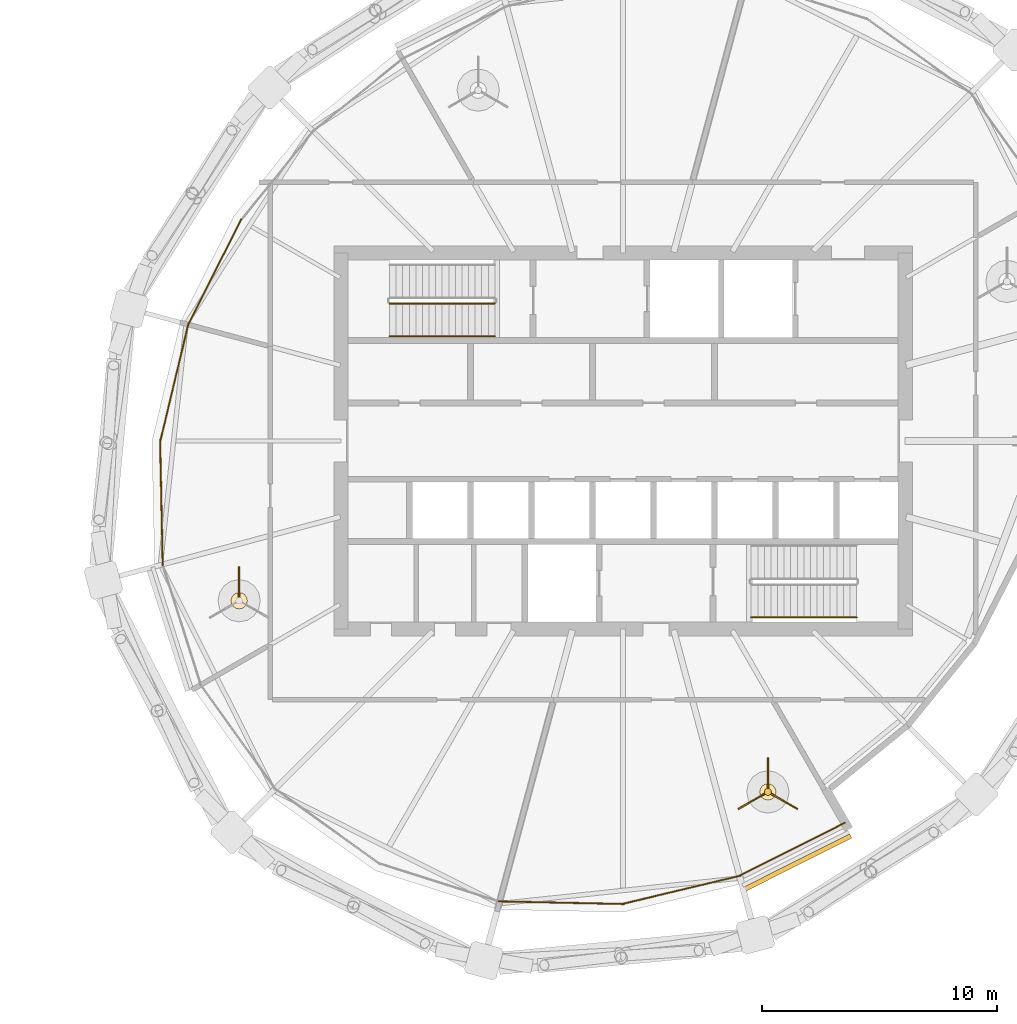
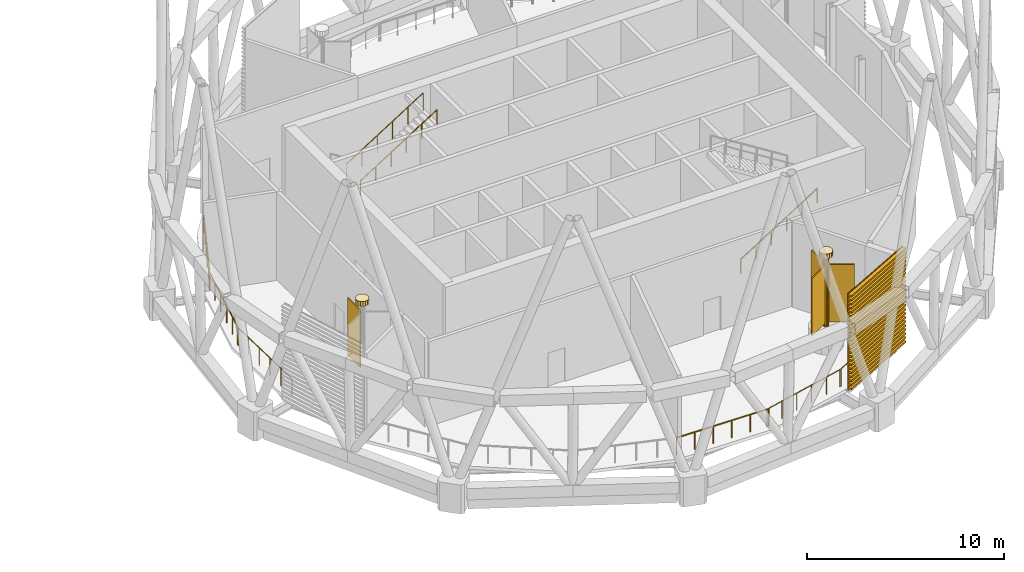
# One storey, part 19 of 22: 9 railings, 7 coverings, 1 shading device.
"""IFC4 building model written with IfcOpenShell, lengths in metres."""

from ifc_helpers import new_model, si_unit, direction, frame, origin, origin_2d, place, context, subcontext, project, spatial, polyline, circle, outline, extrude, material, material_profile, profile_set, type_object, element, save


model = new_model("IFC4")

# Units and contexts
model_context = context("Model", 3, precision=1e-05, world=origin(), true_north=direction((0.0, 1.0)))
body_context = subcontext(model_context, "Body", "Model", "MODEL_VIEW")
ifc_project = project(units=[si_unit("LENGTHUNIT", "METRE"), si_unit("AREAUNIT", "SQUARE_METRE"), si_unit("VOLUMEUNIT", "CUBIC_METRE"), si_unit("PLANEANGLEUNIT", "RADIAN"), si_unit("MASSUNIT", "GRAM", prefix="KILO")], contexts=[model_context])

# Site, building, storey
site_placement = place(None, origin())
site = spatial("IfcSite", under=ifc_project, at=site_placement, CompositionType="ELEMENT")
building_placement = place(site_placement, origin())
building = spatial("IfcBuilding", under=site, at=building_placement, Name="Rimbun Link Towers", CompositionType="ELEMENT")
storey_placement = place(building_placement, frame((0.0, 0.0, 204.5)))
storey = spatial("IfcBuildingStorey", under=building, at=storey_placement, Name="L50", CompositionType="ELEMENT", Elevation=204.5)

# Railings
ifc_material_1 = material(Name="Stainless steel grade 316", Category="steel")
railing_type_1 = type_object("IfcRailingType", Name="GUARD stainless rail and posts", PredefinedType="GUARDRAIL", material=ifc_material_1)
railing_1_placement = place(storey_placement, frame((13.244384765625, 4.91162109375, 0.0)))
element("IfcRailing", 1, at=railing_1_placement, inside=storey, type_object=railing_type_1, Name="GUARD open storey edge", PredefinedType="GUARDRAIL", context=body_context, shape_type="SweptSolid", body=[
    extrude(circle(Radius=0.02392578125, at=origin_2d()), frame((0.0, 0.0, 1.076171875), z_axis=(0.448778078669, 0.893643237599, 0.0), x_axis=(-0.893643237599, 0.448778078669, 0.0)), (0.0, 0.0, 1.0), 5.053955078125),
    extrude(circle(Radius=0.02099609375, at=origin_2d()), origin(), (0.0, 0.0, 1.0), 1.052001953125),
    extrude(circle(Radius=0.02099609375, at=origin_2d()), frame((0.45361328125, 0.9033203125, 0.0)), (0.0, 0.0, 1.0), 1.052001953125),
    extrude(circle(Radius=0.02099609375, at=origin_2d()), frame((0.9072265625, 1.806640625, 0.0)), (0.0, 0.0, 1.0), 1.052001953125),
    extrude(circle(Radius=0.02099609375, at=origin_2d()), frame((1.36083984375, 2.709716796875, 0.0)), (0.0, 0.0, 1.0), 1.052001953125),
    extrude(circle(Radius=0.02099609375, at=origin_2d()), frame((1.814453125, 3.613037109375, 0.0)), (0.0, 0.0, 1.0), 1.052001953125),
    extrude(circle(Radius=0.02099609375, at=origin_2d()), frame((2.26806640625, 4.516357421875, 0.0)), (0.0, 0.0, 1.0), 1.052001953125),
])
railing_2_placement = place(storey_placement, frame((12.061279296875, -0.045166015625, 0.0)))
element("IfcRailing", 2, at=railing_2_placement, inside=storey, type_object=railing_type_1, Name="GUARD open storey edge", PredefinedType="GUARDRAIL", context=body_context, shape_type="SweptSolid", body=[
    extrude(circle(Radius=0.02392578125, at=origin_2d()), frame((0.0, 0.0, 1.076171875), z_axis=(0.23262353495, 0.972566856821, 0.0), x_axis=(-0.972566856821, 0.23262353495, 0.0)), (0.0, 0.0, 1.0), 5.187744140625),
    extrude(circle(Radius=0.02099609375, at=origin_2d()), origin(), (0.0, 0.0, 1.0), 1.052001953125),
    extrude(circle(Radius=0.02099609375, at=origin_2d()), frame((0.241455078125, 1.009033203125, 0.0)), (0.0, 0.0, 1.0), 1.052001953125),
    extrude(circle(Radius=0.02099609375, at=origin_2d()), frame((0.482666015625, 2.01806640625, 0.0)), (0.0, 0.0, 1.0), 1.052001953125),
    extrude(circle(Radius=0.02099609375, at=origin_2d()), frame((0.72412109375, 3.02734375, 0.0)), (0.0, 0.0, 1.0), 1.052001953125),
    extrude(circle(Radius=0.02099609375, at=origin_2d()), frame((0.96533203125, 4.036376953125, 0.0)), (0.0, 0.0, 1.0), 1.052001953125),
    extrude(circle(Radius=0.02099609375, at=origin_2d()), frame((1.206787109375, 5.04541015625, 0.0)), (0.0, 0.0, 1.0), 1.052001953125),
])
railing_3_placement = place(storey_placement, frame((12.173828125, -5.2919921875, 0.0)))
element("IfcRailing", 3, at=railing_3_placement, inside=storey, type_object=railing_type_1, Name="GUARD open storey edge", PredefinedType="GUARDRAIL", context=body_context, shape_type="SweptSolid", body=[
    extrude(circle(Radius=0.02392578125, at=origin_2d()), frame((0.0, 0.0, 1.076171875), z_axis=(-0.021078275813, 0.999777828464, 0.0), x_axis=(-0.999777828464, -0.021078275813, 0.0)), (0.0, 0.0, 1.0), 5.339599609375),
    extrude(circle(Radius=0.02099609375, at=origin_2d()), origin(), (0.0, 0.0, 1.0), 1.052001953125),
    extrude(circle(Radius=0.02099609375, at=origin_2d()), frame((-0.0224609375, 1.067626953125, 0.0)), (0.0, 0.0, 1.0), 1.052001953125),
    extrude(circle(Radius=0.02099609375, at=origin_2d()), frame((-0.044921875, 2.13525390625, 0.0)), (0.0, 0.0, 1.0), 1.052001953125),
    extrude(circle(Radius=0.02099609375, at=origin_2d()), frame((-0.067626953125, 3.203125, 0.0)), (0.0, 0.0, 1.0), 1.052001953125),
    extrude(circle(Radius=0.02099609375, at=origin_2d()), frame((-0.090087890625, 4.270751953125, 0.0)), (0.0, 0.0, 1.0), 1.052001953125),
    extrude(circle(Radius=0.02099609375, at=origin_2d()), frame((-0.112548828125, 5.33837890625, 0.0)), (0.0, 0.0, 1.0), 1.052001953125),
])
railing_4_placement = place(storey_placement, frame((31.79638671875, -19.688720703125, 0.0)))
element("IfcRailing", 4, at=railing_4_placement, inside=storey, type_object=railing_type_1, Name="GUARD open storey edge", PredefinedType="GUARDRAIL", context=body_context, shape_type="SweptSolid", body=[
    extrude(circle(Radius=0.02392578125, at=origin_2d()), frame((0.0, 0.0, 1.076171875), z_axis=(-0.999777828464, 0.021078275813, 0.0), x_axis=(-0.021078275813, -0.999777828464, 0.0)), (0.0, 0.0, 1.0), 5.339599609375),
    extrude(circle(Radius=0.02099609375, at=origin_2d()), origin(), (0.0, 0.0, 1.0), 1.052001953125),
    extrude(circle(Radius=0.02099609375, at=origin_2d()), frame((-1.067626953125, 0.0224609375, 0.0)), (0.0, 0.0, 1.0), 1.052001953125),
    extrude(circle(Radius=0.02099609375, at=origin_2d()), frame((-2.13525390625, 0.044921875, 0.0)), (0.0, 0.0, 1.0), 1.052001953125),
    extrude(circle(Radius=0.02099609375, at=origin_2d()), frame((-3.203125, 0.067626953125, 0.0)), (0.0, 0.0, 1.0), 1.052001953125),
    extrude(circle(Radius=0.02099609375, at=origin_2d()), frame((-4.270751953125, 0.090087890625, 0.0)), (0.0, 0.0, 1.0), 1.052001953125),
    extrude(circle(Radius=0.02099609375, at=origin_2d()), frame((-5.33837890625, 0.112548828125, 0.0)), (0.0, 0.0, 1.0), 1.052001953125),
])
railing_5_placement = place(storey_placement, frame((36.750244140625, -18.48193359375, 0.0)))
element("IfcRailing", 5, at=railing_5_placement, inside=storey, type_object=railing_type_1, Name="GUARD open storey edge", PredefinedType="GUARDRAIL", context=body_context, shape_type="SweptSolid", body=[
    extrude(circle(Radius=0.02392578125, at=origin_2d()), frame((0.0, 0.0, 1.076171875), z_axis=(-0.972566856821, -0.23262353495, 0.0), x_axis=(0.23262353495, -0.972566856821, 0.0)), (0.0, 0.0, 1.0), 5.187744140625),
    extrude(circle(Radius=0.02099609375, at=origin_2d()), origin(), (0.0, 0.0, 1.0), 1.052001953125),
    extrude(circle(Radius=0.02099609375, at=origin_2d()), frame((-1.009033203125, -0.241455078125, 0.0)), (0.0, 0.0, 1.0), 1.052001953125),
    extrude(circle(Radius=0.02099609375, at=origin_2d()), frame((-2.01806640625, -0.482666015625, 0.0)), (0.0, 0.0, 1.0), 1.052001953125),
    extrude(circle(Radius=0.02099609375, at=origin_2d()), frame((-3.02734375, -0.72412109375, 0.0)), (0.0, 0.0, 1.0), 1.052001953125),
    extrude(circle(Radius=0.02099609375, at=origin_2d()), frame((-4.036376953125, -0.96533203125, 0.0)), (0.0, 0.0, 1.0), 1.052001953125),
    extrude(circle(Radius=0.02099609375, at=origin_2d()), frame((-5.04541015625, -1.206787109375, 0.0)), (0.0, 0.0, 1.0), 1.052001953125),
])
railing_6_placement = place(storey_placement, frame((41.177978515625, -16.237548828125, 0.0)))
element("IfcRailing", 6, at=railing_6_placement, inside=storey, type_object=railing_type_1, Name="GUARD slot edge", PredefinedType="GUARDRAIL", context=body_context, shape_type="SweptSolid", body=[
    extrude(circle(Radius=0.02392578125, at=origin_2d()), frame((0.0, 0.0, 1.076171875), z_axis=(-0.893643237599, -0.448778078669, 0.0), x_axis=(0.448778078669, -0.893643237599, 0.0)), (0.0, 0.0, 1.0), 5.053955078125),
    extrude(circle(Radius=0.02099609375, at=origin_2d()), origin(), (0.0, 0.0, 1.0), 1.052001953125),
    extrude(circle(Radius=0.02099609375, at=origin_2d()), frame((-0.9033203125, -0.45361328125, 0.0)), (0.0, 0.0, 1.0), 1.052001953125),
    extrude(circle(Radius=0.02099609375, at=origin_2d()), frame((-1.806640625, -0.9072265625, 0.0)), (0.0, 0.0, 1.0), 1.052001953125),
    extrude(circle(Radius=0.02099609375, at=origin_2d()), frame((-2.709716796875, -1.36083984375, 0.0)), (0.0, 0.0, 1.0), 1.052001953125),
    extrude(circle(Radius=0.02099609375, at=origin_2d()), frame((-3.613037109375, -1.814453125, 0.0)), (0.0, 0.0, 1.0), 1.052001953125),
    extrude(circle(Radius=0.02099609375, at=origin_2d()), frame((-4.516357421875, -2.26806640625, 0.0)), (0.0, 0.0, 1.0), 1.052001953125),
])

# Shading device
ifc_material_2 = material(Name="Aluminium 6063-T6", Category="aluminium")
ifc_material_profile = material_profile(ifc_material_2, outline(polyline([(0.123046875, 0.0), (0.1630859375, 0.0), (0.1630859375, 0.10009765625), (0.363037109375, 0.10009765625), (0.363037109375, 0.199951171875), (0.1630859375, 0.199951171875), (0.1630859375, 0.35009765625), (0.363037109375, 0.35009765625), (0.363037109375, 0.449951171875), (0.1630859375, 0.449951171875), (0.1630859375, 0.60009765625), (0.363037109375, 0.60009765625), (0.363037109375, 0.699951171875), (0.1630859375, 0.699951171875), (0.1630859375, 0.85009765625), (0.363037109375, 0.85009765625), (0.363037109375, 0.949951171875), (0.1630859375, 0.949951171875), (0.1630859375, 1.10009765625), (0.363037109375, 1.10009765625), (0.363037109375, 1.199951171875), (0.1630859375, 1.199951171875), (0.1630859375, 1.35009765625), (0.363037109375, 1.35009765625), (0.363037109375, 1.449951171875), (0.1630859375, 1.449951171875), (0.1630859375, 1.60009765625), (0.363037109375, 1.60009765625), (0.363037109375, 1.699951171875), (0.1630859375, 1.699951171875), (0.1630859375, 1.85009765625), (0.363037109375, 1.85009765625), (0.363037109375, 1.949951171875), (0.1630859375, 1.949951171875), (0.1630859375, 2.10009765625), (0.363037109375, 2.10009765625), (0.363037109375, 2.199951171875), (0.1630859375, 2.199951171875), (0.1630859375, 2.35009765625), (0.363037109375, 2.35009765625), (0.363037109375, 2.449951171875), (0.1630859375, 2.449951171875), (0.1630859375, 2.60009765625), (0.363037109375, 2.60009765625), (0.363037109375, 2.699951171875), (0.1630859375, 2.699951171875), (0.1630859375, 2.85009765625), (0.363037109375, 2.85009765625), (0.363037109375, 2.949951171875), (0.1630859375, 2.949951171875), (0.1630859375, 3.10009765625), (0.363037109375, 3.10009765625), (0.363037109375, 3.199951171875), (0.1630859375, 3.199951171875), (0.1630859375, 3.35009765625), (0.363037109375, 3.35009765625), (0.363037109375, 3.449951171875), (0.1630859375, 3.449951171875), (0.1630859375, 3.60009765625), (0.363037109375, 3.60009765625), (0.363037109375, 3.699951171875), (0.1630859375, 3.699951171875), (0.1630859375, 3.85009765625), (0.363037109375, 3.85009765625), (0.363037109375, 3.949951171875), (0.1630859375, 3.949951171875), (0.1630859375, 4.10009765625), (0.363037109375, 4.10009765625), (0.363037109375, 4.199951171875), (0.1630859375, 4.199951171875), (0.1630859375, 4.35009765625), (0.363037109375, 4.35009765625), (0.363037109375, 4.449951171875), (0.1630859375, 4.449951171875), (0.1630859375, 4.60009765625), (0.363037109375, 4.60009765625), (0.363037109375, 4.699951171875), (0.1630859375, 4.699951171875), (0.1630859375, 4.85009765625), (0.363037109375, 4.85009765625), (0.363037109375, 4.949951171875), (0.1630859375, 4.949951171875), (0.1630859375, 5.10009765625), (0.363037109375, 5.10009765625), (0.363037109375, 5.199951171875), (0.1630859375, 5.199951171875), (0.1630859375, 5.35009765625), (0.363037109375, 5.35009765625), (0.363037109375, 5.449951171875), (0.1630859375, 5.449951171875), (0.1630859375, 5.60009765625), (0.363037109375, 5.60009765625), (0.363037109375, 5.699951171875), (0.1630859375, 5.699951171875), (0.1630859375, 5.85009765625), (0.363037109375, 5.85009765625), (0.363037109375, 5.949951171875), (0.1630859375, 5.949951171875), (0.1630859375, 6.0), (0.123046875, 6.0), (0.123046875, 0.0)])), Name="LOUVRE BLADES 100X240")
ifc_profile_set = profile_set([ifc_material_profile], Name="Aluminium 6063-T6")
shading_device_type = type_object("IfcShadingDeviceType", Name="LOUVRE SLOT BLADES 100X240 H6000", PredefinedType="JALOUSIE", material=ifc_profile_set)
shading_device_placement = place(storey_placement, frame((41.3115234375, -16.56103515625, 0.0), z_axis=(-0.893643237599, -0.448778078669, 0.0), x_axis=(0.448778078669, -0.893643237599, 0.0)))
element("IfcShadingDevice", 7, at=shading_device_placement, inside=storey, type_object=shading_device_type, Name="LOUVRE slot blades", PredefinedType="JALOUSIE", context=body_context, shape_type="SweptSolid", body=[
    extrude(outline(polyline([(0.123046875, 0.0), (0.1630859375, 0.0), (0.1630859375, 0.10009765625), (0.363037109375, 0.10009765625), (0.363037109375, 0.199951171875), (0.1630859375, 0.199951171875), (0.1630859375, 0.35009765625), (0.363037109375, 0.35009765625), (0.363037109375, 0.449951171875), (0.1630859375, 0.449951171875), (0.1630859375, 0.60009765625), (0.363037109375, 0.60009765625), (0.363037109375, 0.699951171875), (0.1630859375, 0.699951171875), (0.1630859375, 0.85009765625), (0.363037109375, 0.85009765625), (0.363037109375, 0.949951171875), (0.1630859375, 0.949951171875), (0.1630859375, 1.10009765625), (0.363037109375, 1.10009765625), (0.363037109375, 1.199951171875), (0.1630859375, 1.199951171875), (0.1630859375, 1.35009765625), (0.363037109375, 1.35009765625), (0.363037109375, 1.449951171875), (0.1630859375, 1.449951171875), (0.1630859375, 1.60009765625), (0.363037109375, 1.60009765625), (0.363037109375, 1.699951171875), (0.1630859375, 1.699951171875), (0.1630859375, 1.85009765625), (0.363037109375, 1.85009765625), (0.363037109375, 1.949951171875), (0.1630859375, 1.949951171875), (0.1630859375, 2.10009765625), (0.363037109375, 2.10009765625), (0.363037109375, 2.199951171875), (0.1630859375, 2.199951171875), (0.1630859375, 2.35009765625), (0.363037109375, 2.35009765625), (0.363037109375, 2.449951171875), (0.1630859375, 2.449951171875), (0.1630859375, 2.60009765625), (0.363037109375, 2.60009765625), (0.363037109375, 2.699951171875), (0.1630859375, 2.699951171875), (0.1630859375, 2.85009765625), (0.363037109375, 2.85009765625), (0.363037109375, 2.949951171875), (0.1630859375, 2.949951171875), (0.1630859375, 3.10009765625), (0.363037109375, 3.10009765625), (0.363037109375, 3.199951171875), (0.1630859375, 3.199951171875), (0.1630859375, 3.35009765625), (0.363037109375, 3.35009765625), (0.363037109375, 3.449951171875), (0.1630859375, 3.449951171875), (0.1630859375, 3.60009765625), (0.363037109375, 3.60009765625), (0.363037109375, 3.699951171875), (0.1630859375, 3.699951171875), (0.1630859375, 3.85009765625), (0.363037109375, 3.85009765625), (0.363037109375, 3.949951171875), (0.1630859375, 3.949951171875), (0.1630859375, 4.10009765625), (0.363037109375, 4.10009765625), (0.363037109375, 4.199951171875), (0.1630859375, 4.199951171875), (0.1630859375, 4.35009765625), (0.363037109375, 4.35009765625), (0.363037109375, 4.449951171875), (0.1630859375, 4.449951171875), (0.1630859375, 4.60009765625), (0.363037109375, 4.60009765625), (0.363037109375, 4.699951171875), (0.1630859375, 4.699951171875), (0.1630859375, 4.85009765625), (0.363037109375, 4.85009765625), (0.363037109375, 4.949951171875), (0.1630859375, 4.949951171875), (0.1630859375, 5.10009765625), (0.363037109375, 5.10009765625), (0.363037109375, 5.199951171875), (0.1630859375, 5.199951171875), (0.1630859375, 5.35009765625), (0.363037109375, 5.35009765625), (0.363037109375, 5.449951171875), (0.1630859375, 5.449951171875), (0.1630859375, 5.60009765625), (0.363037109375, 5.60009765625), (0.363037109375, 5.699951171875), (0.1630859375, 5.699951171875), (0.1630859375, 5.85009765625), (0.363037109375, 5.85009765625), (0.363037109375, 5.949951171875), (0.1630859375, 5.949951171875), (0.1630859375, 6.0), (0.123046875, 6.0), (0.123046875, 0.0)])), origin(), (0.0, 0.0, 1.0), 5.053955078125),
])

# Railings
ifc_material_3 = material(Name="Stainless steel grade 316", Category="steel")
railing_type_2 = type_object("IfcRailingType", Name="Stair guard", PredefinedType="GUARDRAIL", material=ifc_material_3)
railing_7_placement = place(storey_placement, frame((21.820068359375, 5.85009765625, 3.176513671875)))
element("IfcRailing", 8, at=railing_7_placement, inside=storey, type_object=railing_type_2, Name="L50 ST3 stair guard 3", PredefinedType="GUARDRAIL", context=body_context, shape_type="SweptSolid", body=[
    extrude(circle(Radius=0.02392578125, at=origin_2d()), frame((0.0, 0.0, 1.076171875), z_axis=(0.845997938375, 0.0, 0.533186166611), x_axis=(0.0, 1.0, 0.0)), (0.0, 0.0, 1.0), 5.29541015625),
    extrude(circle(Radius=0.02099609375, at=origin_2d()), origin(), (0.0, 0.0, 1.0), 1.052001953125),
    extrude(circle(Radius=0.02099609375, at=origin_2d()), frame((0.89599609375, 0.0, 0.564697265625)), (0.0, 0.0, 1.0), 1.052001953125),
    extrude(circle(Radius=0.02099609375, at=origin_2d()), frame((1.7919921875, 0.0, 1.12939453125)), (0.0, 0.0, 1.0), 1.052001953125),
    extrude(circle(Radius=0.02099609375, at=origin_2d()), frame((2.68798828125, 0.0, 1.694091796875)), (0.0, 0.0, 1.0), 1.052001953125),
    extrude(circle(Radius=0.02099609375, at=origin_2d()), frame((3.583984375, 0.0, 2.2587890625)), (0.0, 0.0, 1.0), 1.052001953125),
    extrude(circle(Radius=0.02099609375, at=origin_2d()), frame((4.47998046875, 0.0, 2.823486328125)), (0.0, 0.0, 1.0), 1.052001953125),
])
ifc_material_4 = material(Name="Stainless steel grade 316", Category="steel")
railing_type_3 = type_object("IfcRailingType", Name="Stair handrail", PredefinedType="HANDRAIL", material=ifc_material_4)
for number, where, name in (
    (9, (21.820068359375, 4.449951171875, 3.176513671875), "L50 ST3 stair handrail 2"),
    (10, (37.199951171875, -7.5, 0.176513671875), "L50 ST4 stair handrail 1"),
):
    element("IfcRailing", number, at=place(storey_placement, frame(where)), inside=storey, type_object=railing_type_3, Name=name, PredefinedType="HANDRAIL", context=body_context, shape_type="SweptSolid", body=[
        extrude(circle(Radius=0.02392578125, at=origin_2d()), frame((0.0, 0.0, 0.8759765625), z_axis=(0.845997938375, 0.0, 0.533186166611), x_axis=(0.0, 1.0, 0.0)), (0.0, 0.0, 1.0), 5.29541015625),
        extrude(circle(Radius=0.02099609375, at=origin_2d()), origin(), (0.0, 0.0, 1.0), 0.851806640625),
        extrude(circle(Radius=0.02099609375, at=origin_2d()), frame((0.89599609375, 0.0, 0.564697265625)), (0.0, 0.0, 1.0), 0.851806640625),
        extrude(circle(Radius=0.02099609375, at=origin_2d()), frame((1.7919921875, 0.0, 1.12939453125)), (0.0, 0.0, 1.0), 0.851806640625),
        extrude(circle(Radius=0.02099609375, at=origin_2d()), frame((2.68798828125, 0.0, 1.694091796875)), (0.0, 0.0, 1.0), 0.851806640625),
        extrude(circle(Radius=0.02099609375, at=origin_2d()), frame((3.583984375, 0.0, 2.2587890625)), (0.0, 0.0, 1.0), 0.851806640625),
        extrude(circle(Radius=0.02099609375, at=origin_2d()), frame((4.47998046875, 0.0, 2.823486328125)), (0.0, 0.0, 1.0), 0.851806640625),
    ])

# Coverings
ifc_material_5 = material(Name="Stainless steel grade 316", Category="steel")
covering_type_1 = type_object("IfcCoveringType", Name="WIND TURBINE bearing collar 700X300", PredefinedType="CLADDING", material=ifc_material_5)
covering_1_placement = place(storey_placement, frame((0.0, 0.0, 5.56005859375)))
element("IfcCovering", 11, at=covering_1_placement, inside=storey, type_object=covering_type_1, Name="WIND TURBINE bearing collar", PredefinedType="CLADDING", context=body_context, shape_type="SweptSolid", body=[
    extrude(outline(polyline([(15.77490234375, -6.790283203125), (15.748291015625, -6.65625), (15.67236328125, -6.542724609375), (15.558837890625, -6.466796875), (15.4248046875, -6.440185546875), (15.291015625, -6.466796875), (15.177490234375, -6.542724609375), (15.1015625, -6.65625), (15.07470703125, -6.790283203125), (15.1015625, -6.92431640625), (15.177490234375, -7.037841796875), (15.291015625, -7.113525390625), (15.4248046875, -7.140380859375), (15.558837890625, -7.113525390625), (15.67236328125, -7.037841796875), (15.748291015625, -6.92431640625), (15.77490234375, -6.790283203125)])), origin(), (0.0, 0.0, 1.0), 0.300048828125),
])
covering_2_placement = place(storey_placement, frame((0.0, 0.0, 5.56005859375)))
element("IfcCovering", 12, at=covering_2_placement, inside=storey, type_object=covering_type_1, Name="WIND TURBINE bearing collar", PredefinedType="CLADDING", context=body_context, shape_type="SweptSolid", body=[
    extrude(outline(polyline([(38.2587890625, -14.922119140625), (38.232177734375, -14.7880859375), (38.15625, -14.674560546875), (38.042724609375, -14.5986328125), (37.90869140625, -14.572021484375), (37.77490234375, -14.5986328125), (37.661376953125, -14.674560546875), (37.58544921875, -14.7880859375), (37.558837890625, -14.922119140625), (37.58544921875, -15.055908203125), (37.661376953125, -15.16943359375), (37.77490234375, -15.245361328125), (37.90869140625, -15.27197265625), (38.042724609375, -15.245361328125), (38.15625, -15.16943359375), (38.232177734375, -15.055908203125), (38.2587890625, -14.922119140625)])), origin(), (0.0, 0.0, 1.0), 0.300048828125),
])
ifc_material_6 = material(Name="Aluminium 6063-T6", Category="aluminium")
covering_type_2 = type_object("IfcCoveringType", Name="WIND TURBINE blade 1302X60X3560", PredefinedType="CLADDING", material=ifc_material_6)
covering_3_placement = place(storey_placement, frame((0.0, 0.0, 1.449951171875)))
element("IfcCovering", 13, at=covering_3_placement, inside=storey, type_object=covering_type_2, Name="WIND TURBINE blade", PredefinedType="CLADDING", context=body_context, shape_type="SweptSolid", body=[
    extrude(outline(polyline([(15.454833984375, -6.642333984375), (15.454833984375, -5.34033203125), (15.394775390625, -5.34033203125), (15.394775390625, -6.642333984375), (15.454833984375, -6.642333984375)])), origin(), (0.0, 0.0, 1.0), 3.56005859375),
])
covering_4_placement = place(storey_placement, frame((0.0, 0.0, 1.449951171875)))
element("IfcCovering", 14, at=covering_4_placement, inside=storey, type_object=covering_type_2, Name="WIND TURBINE blade", PredefinedType="CLADDING", context=body_context, shape_type="SweptSolid", body=[
    extrude(outline(polyline([(37.938720703125, -14.77392578125), (37.938720703125, -13.471923828125), (37.87890625, -13.471923828125), (37.87890625, -14.77392578125), (37.938720703125, -14.77392578125)])), origin(), (0.0, 0.0, 1.0), 3.56005859375),
])
covering_5_placement = place(storey_placement, frame((0.0, 0.0, 1.449951171875)))
element("IfcCovering", 15, at=covering_5_placement, inside=storey, type_object=covering_type_2, Name="WIND TURBINE blade", PredefinedType="CLADDING", context=body_context, shape_type="SweptSolid", body=[
    extrude(outline(polyline([(37.765625, -14.969970703125), (36.63818359375, -15.62109375), (36.66796875, -15.673095703125), (37.795654296875, -15.02197265625), (37.765625, -14.969970703125)])), origin(), (0.0, 0.0, 1.0), 3.56005859375),
])
covering_6_placement = place(storey_placement, frame((0.0, 0.0, 1.449951171875)))
element("IfcCovering", 16, at=covering_6_placement, inside=storey, type_object=covering_type_2, Name="WIND TURBINE blade", PredefinedType="CLADDING", context=body_context, shape_type="SweptSolid", body=[
    extrude(outline(polyline([(38.02197265625, -15.02197265625), (39.149658203125, -15.673095703125), (39.179443359375, -15.62109375), (38.052001953125, -14.969970703125), (38.02197265625, -15.02197265625)])), origin(), (0.0, 0.0, 1.0), 3.56005859375),
])
ifc_material_7 = material(Name="Stainless steel grade 316", Category="steel")
covering_type_3 = type_object("IfcCoveringType", Name="WIND TURBINE shaft 300X4360", PredefinedType="CLADDING", material=ifc_material_7)
covering_7_placement = place(storey_placement, frame((0.0, 0.0, 1.199951171875)))
element("IfcCovering", 17, at=covering_7_placement, inside=storey, type_object=covering_type_3, Name="WIND TURBINE shaft", PredefinedType="CLADDING", context=body_context, shape_type="SweptSolid", body=[
    extrude(outline(polyline([(38.058837890625, -14.922119140625), (38.04736328125, -14.864501953125), (38.014892578125, -14.81591796875), (37.96630859375, -14.783447265625), (37.90869140625, -14.77197265625), (37.851318359375, -14.783447265625), (37.802734375, -14.81591796875), (37.770263671875, -14.864501953125), (37.7587890625, -14.922119140625), (37.770263671875, -14.9794921875), (37.802734375, -15.028076171875), (37.851318359375, -15.060546875), (37.90869140625, -15.072021484375), (37.96630859375, -15.060546875), (38.014892578125, -15.028076171875), (38.04736328125, -14.9794921875), (38.058837890625, -14.922119140625)])), origin(), (0.0, 0.0, 1.0), 4.360107421875),
])

save(model, "model.ifc")
